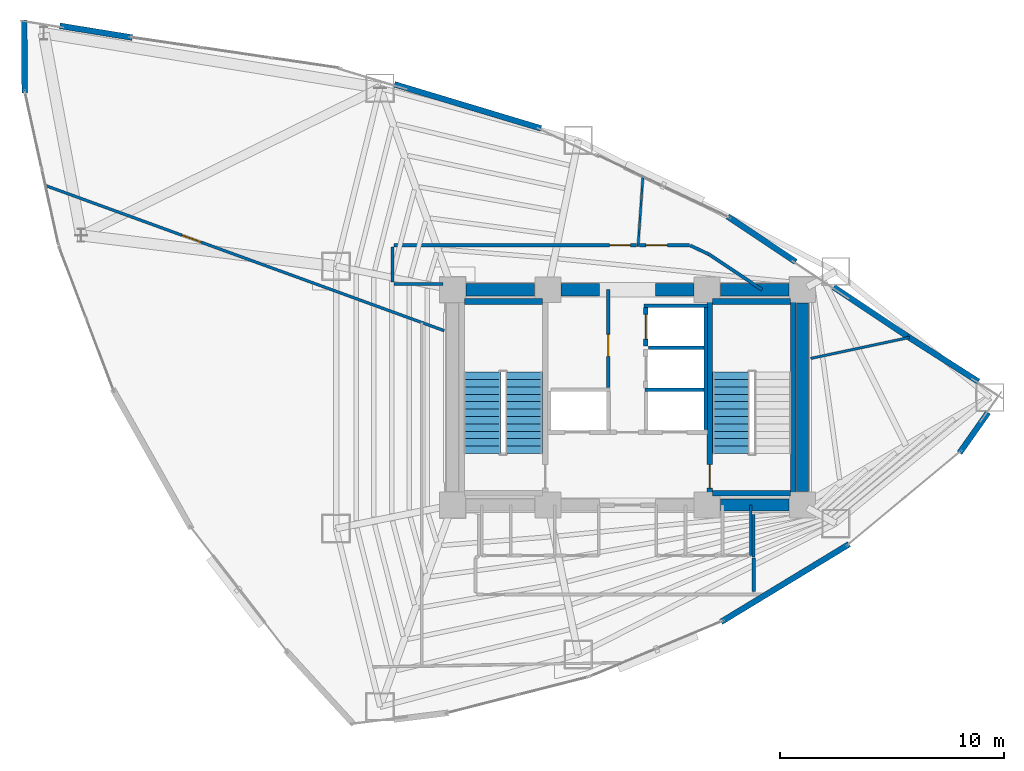
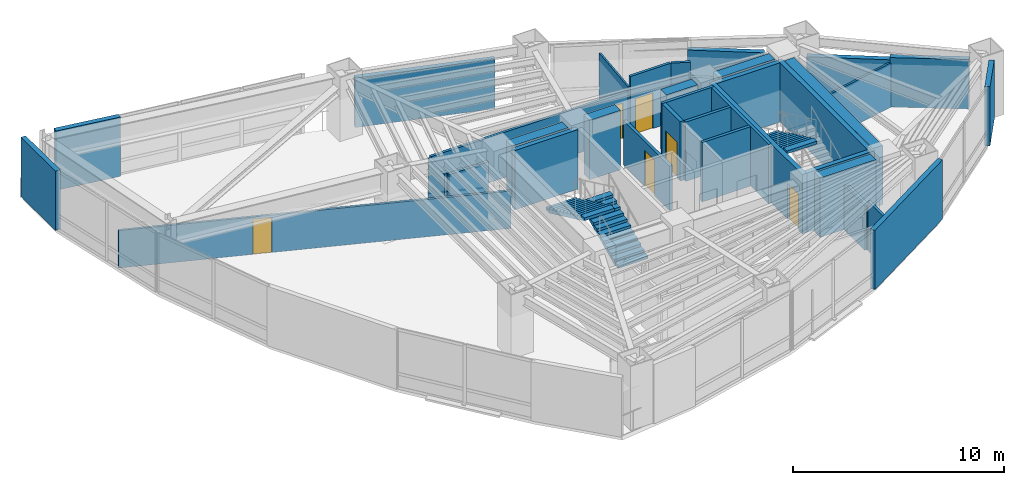
# One storey, part 20 of 25: 37 walls, 6 doors, 3 stair flights, 6 openings, 2 elements without a shape of their own.
"""IFC4 building model written with IfcOpenShell, lengths in metres."""

from ifc_helpers import new_model, si_unit, direction, frame, frame_2d, origin, place, context, subcontext, project, spatial, polyline, rectangle, outline, extrude, material, layer, layer_set, type_object, element, fill, aggregate, save


model = new_model("IFC4")

# Units and contexts
model_context = context("Model", 3, precision=1e-05, world=origin(), true_north=direction((0.0, 1.0)))
body_context = subcontext(model_context, "Body", "Model", "MODEL_VIEW")
ifc_project = project(units=[si_unit("LENGTHUNIT", "METRE"), si_unit("AREAUNIT", "SQUARE_METRE"), si_unit("VOLUMEUNIT", "CUBIC_METRE"), si_unit("PLANEANGLEUNIT", "RADIAN"), si_unit("MASSUNIT", "GRAM", prefix="KILO")], contexts=[model_context])

# Site, building, storey
site_placement = place(None, origin())
site = spatial("IfcSite", under=ifc_project, at=site_placement, CompositionType="ELEMENT")
building_placement = place(site_placement, origin())
building = spatial("IfcBuilding", under=site, at=building_placement, Name="Menara Vayukalpa", CompositionType="ELEMENT")
storey_placement = place(building_placement, frame((0.0, 0.0, 115.139892578125)))
storey = spatial("IfcBuildingStorey", under=building, at=storey_placement, Name="L28", CompositionType="ELEMENT", Elevation=115.139892578125)

# Walls
ifc_material_1 = material(Name="Concrete C60/75", Category="concrete")
ifc_layer_1 = layer(ifc_material_1, 0.550048828125)
ifc_layer_set_1 = layer_set([ifc_layer_1], Name="Concrete C60/75")
wall_type_1 = type_object("IfcWallType", Name="WAL-CW550", PredefinedType="SHEAR", material=ifc_layer_set_1)
wall_1_placement = place(storey_placement, frame((29.7451171875, 17.199951171875, 0.0), z_axis=(0.0, 0.0, 1.0), x_axis=(1.0, 0.0, 0.0)))
element("IfcWall", 1, at=wall_1_placement, inside=storey, type_object=wall_type_1, Name="L28 Buttressed Core Shear Wall CWS4", PredefinedType="SHEAR", context=body_context, shape_type="SweptSolid", body=[
    extrude(rectangle(XDim=3.059814453125, YDim=0.550048828125, at=frame_2d((1.52978515625, 0.0))), origin(), (0.0, 0.0, 1.0), 3.440185546875),
])
wall_2_placement = place(storey_placement, frame((18.39501953125, 26.800048828125, 0.0), z_axis=(0.0, 0.0, 1.0), x_axis=(1.0, 0.0, 0.0)))
element("IfcWall", 2, at=wall_2_placement, inside=storey, type_object=wall_type_1, Name="L28 Buttressed Core Shear Wall CWN1", PredefinedType="SHEAR", context=body_context, shape_type="SweptSolid", body=[
    extrude(rectangle(XDim=3.06005859375, YDim=0.550048828125, at=frame_2d((1.530029296875, 0.0))), origin(), (0.0, 0.0, 1.0), 3.440185546875),
])
wall_3_placement = place(storey_placement, frame((22.64501953125, 26.800048828125, 0.0), z_axis=(0.0, 0.0, 1.0), x_axis=(1.0, 0.0, 0.0)))
element("IfcWall", 3, at=wall_3_placement, inside=storey, type_object=wall_type_1, Name="L28 Buttressed Core Shear Wall CWN2", PredefinedType="SHEAR", context=body_context, shape_type="SweptSolid", body=[
    extrude(rectangle(XDim=1.705078125, YDim=0.550048828125, at=frame_2d((0.8525390625, 0.0))), origin(), (0.0, 0.0, 1.0), 3.440185546875),
])
wall_4_placement = place(storey_placement, frame((26.85009765625, 26.800048828125, 0.0), z_axis=(0.0, 0.0, 1.0), x_axis=(1.0, 0.0, 0.0)))
element("IfcWall", 4, at=wall_4_placement, inside=storey, type_object=wall_type_1, Name="L28 Buttressed Core Shear Wall CWN3", PredefinedType="SHEAR", context=body_context, shape_type="SweptSolid", body=[
    extrude(rectangle(XDim=1.704833984375, YDim=0.550048828125, at=frame_2d((0.8525390625, 0.0))), origin(), (0.0, 0.0, 1.0), 3.440185546875),
])
wall_5_placement = place(storey_placement, frame((29.7451171875, 26.800048828125, 0.0), z_axis=(0.0, 0.0, 1.0), x_axis=(1.0, 0.0, 0.0)))
element("IfcWall", 5, at=wall_5_placement, inside=storey, type_object=wall_type_1, Name="L28 Buttressed Core Shear Wall CWN4", PredefinedType="SHEAR", context=body_context, shape_type="SweptSolid", body=[
    extrude(rectangle(XDim=3.059814453125, YDim=0.550048828125, at=frame_2d((1.52978515625, 0.0))), origin(), (0.0, 0.0, 1.0), 3.440185546875),
])
wall_6_placement = place(storey_placement, frame((33.39990234375, 17.794921875, 0.0), z_axis=(0.0, 0.0, 1.0), x_axis=(0.0, 1.0, 0.0)))
element("IfcWall", 6, at=wall_6_placement, inside=storey, type_object=wall_type_1, Name="L28 Buttressed Core Shear Wall CWE1", PredefinedType="SHEAR", context=body_context, shape_type="SweptSolid", body=[
    extrude(rectangle(XDim=8.41015625, YDim=0.550048828125, at=frame_2d((4.205078125, 0.0))), origin(), (0.0, 0.0, 1.0), 3.440185546875),
])
ifc_material_2 = material(Name="Insulated Precast Concrete C40/50", Category="concrete")
ifc_layer_2 = layer(ifc_material_2, 0.260009765625)
ifc_layer_set_2 = layer_set([ifc_layer_2], Name="Insulated Precast Concrete C40/50")
wall_type_2 = type_object("IfcWallType", Name="WAL-EXT260", PredefinedType="PARTITIONING", material=ifc_layer_set_2)
wall_7_placement = place(storey_placement, frame((41.682373046875, 21.331298828125, 0.0), z_axis=(0.0, 0.0, 1.0), x_axis=(-0.577134204686, -0.816649318729, 0.0)))
element("IfcWall", 7, at=wall_7_placement, inside=storey, type_object=wall_type_2, Name="L28 Perimeter Terracotta Pier Wall 01", PredefinedType="PARTITIONING", context=body_context, shape_type="SweptSolid", body=[
    extrude(rectangle(XDim=2.2099609375, YDim=0.260009765625, at=frame_2d((1.10498046875, 0.0))), origin(), (0.0, 0.0, 1.0), 3.440185546875),
])
wall_8_placement = place(storey_placement, frame((38.07177734375, 24.726806640625, 0.0), z_axis=(0.0, 0.0, 1.0), x_axis=(0.843033549628, -0.537860980367, 0.0)))
element("IfcWall", 8, at=wall_8_placement, inside=storey, type_object=wall_type_2, Name="L28 Perimeter Terracotta Pier Wall 02", PredefinedType="PARTITIONING", context=body_context, shape_type="SweptSolid", body=[
    extrude(rectangle(XDim=3.765625, YDim=0.260009765625, at=frame_2d((1.8828125, 0.0))), origin(), (0.0, 0.0, 1.0), 2.8701171875),
])
wall_9_placement = place(storey_placement, frame((34.783203125, 26.92236328125, 0.0), z_axis=(0.0, 0.0, 1.0), x_axis=(0.831718676225, -0.555197301523, 0.0)))
element("IfcWall", 9, at=wall_9_placement, inside=storey, type_object=wall_type_2, Name="L28 Perimeter Terracotta Pier Wall 03", PredefinedType="PARTITIONING", context=body_context, shape_type="SweptSolid", body=[
    extrude(rectangle(XDim=3.966064453125, YDim=0.260009765625, at=frame_2d((1.98291015625, 0.0))), origin(), (0.0, 0.0, 1.0), 2.739990234375),
])
wall_10_placement = place(storey_placement, frame((30.069580078125, 30.06884765625, 0.0), z_axis=(0.0, 0.0, 1.0), x_axis=(0.831720838908, -0.555194061681, 0.0)))
element("IfcWall", 10, at=wall_10_placement, inside=storey, type_object=wall_type_2, Name="L28 Perimeter Terracotta Pier Wall 04", PredefinedType="PARTITIONING", context=body_context, shape_type="SweptSolid", body=[
    extrude(rectangle(XDim=3.64990234375, YDim=0.260009765625, at=frame_2d((1.824951171875, 0.0))), origin(), (0.0, 0.0, 1.0), 2.8701171875),
])
wall_11_placement = place(storey_placement, frame((15.205078125, 35.960693359375, 0.0), z_axis=(0.0, 0.0, 1.0), x_axis=(0.957547425539, -0.288275784351, 0.0)))
element("IfcWall", 11, at=wall_11_placement, inside=storey, type_object=wall_type_2, Name="L28 Perimeter Terracotta Pier Wall 06", PredefinedType="PARTITIONING", context=body_context, shape_type="SweptSolid", body=[
    extrude(rectangle(XDim=6.830322265625, YDim=0.260009765625, at=frame_2d((3.4150390625, 0.0))), origin(), (0.0, 0.0, 1.0), 2.8701171875),
])
wall_12_placement = place(storey_placement, frame((0.28759765625, 38.567626953125, 0.0), z_axis=(0.0, 0.0, 1.0), x_axis=(0.987086724939, -0.160186758031, 0.0)))
element("IfcWall", 12, at=wall_12_placement, inside=storey, type_object=wall_type_2, Name="L28 Perimeter Terracotta Pier Wall 08", PredefinedType="PARTITIONING", context=body_context, shape_type="SweptSolid", body=[
    extrude(rectangle(XDim=3.281494140625, YDim=0.260009765625, at=frame_2d((1.640625, 0.0))), origin(), (0.0, 0.0, 1.0), 3.440185546875),
])
wall_13_placement = place(storey_placement, frame((-1.2744140625, 35.567626953125, 0.0), z_axis=(0.0, 0.0, 1.0), x_axis=(-0.007419416555, 0.99997247575, 0.0)))
element("IfcWall", 13, at=wall_13_placement, inside=storey, type_object=wall_type_2, Name="L28 Perimeter Terracotta Pier Wall 09", PredefinedType="PARTITIONING", context=body_context, shape_type="SweptSolid", body=[
    extrude(rectangle(XDim=3.257568359375, YDim=0.260009765625, at=frame_2d((1.62890625, 0.0))), origin(), (0.0, 0.0, 1.0), 3.440185546875),
])
wall_14_placement = place(storey_placement, frame((35.47998046875, 15.455078125, 0.0), z_axis=(0.0, 0.0, 1.0), x_axis=(-0.854673977685, -0.51916509115, 0.0)))
element("IfcWall", 14, at=wall_14_placement, inside=storey, type_object=wall_type_2, Name="L28 Perimeter Terracotta Pier Wall 18", PredefinedType="PARTITIONING", context=body_context, shape_type="SweptSolid", body=[
    extrude(rectangle(XDim=6.678466796875, YDim=0.260009765625, at=frame_2d((3.33935546875, 0.0))), origin(), (0.0, 0.0, 1.0), 3.440185546875),
])
ifc_material_3 = material(Name="Lightweight Concrete Blockwork C16/20", Category="masonry")
ifc_layer_3 = layer(ifc_material_3, 0.159912109375)
ifc_layer_set_3 = layer_set([ifc_layer_3], Name="Lightweight Concrete Blockwork C16/20")
wall_type_3 = type_object("IfcWallType", Name="WAL-FR150", PredefinedType="PARTITIONING", material=ifc_layer_set_3)
wall_15_placement = place(storey_placement, frame((29.094970703125, 20.56005859375, 0.0), z_axis=(0.0, 0.0, 1.0), x_axis=(0.0, 1.0, 0.0)))
element("IfcWall", 15, at=wall_15_placement, inside=storey, type_object=wall_type_3, Name="L28 Interior Partition IW-L28-SHW-EE", PredefinedType="PARTITIONING", context=body_context, shape_type="SweptSolid", body=[
    extrude(rectangle(XDim=5.449951171875, YDim=0.159912109375, at=frame_2d((2.72509765625, 0.0))), origin(), (0.0, 0.0, 1.0), 3.440185546875),
])
wall_16_placement = place(storey_placement, frame((26.3701171875, 22.344970703125, 0.0), z_axis=(0.0, 0.0, 1.0), x_axis=(1.0, 0.0, 0.0)))
element("IfcWall", 16, at=wall_16_placement, inside=storey, type_object=wall_type_3, Name="L28 Interior Partition IW-L28-SHM-E13", PredefinedType="PARTITIONING", context=body_context, shape_type="SweptSolid", body=[
    extrude(rectangle(XDim=2.64990234375, YDim=0.159912109375, at=frame_2d((1.324951171875, 0.0))), origin(), (0.0, 0.0, 1.0), 3.440185546875),
])
wall_17_placement = place(storey_placement, frame((26.530029296875, 24.215087890625, 0.0), z_axis=(0.0, 0.0, 1.0), x_axis=(1.0, 0.0, 0.0)))
element("IfcWall", 17, at=wall_17_placement, inside=storey, type_object=wall_type_3, Name="L28 Interior Partition IW-L28-SHM-E32", PredefinedType="PARTITIONING", context=body_context, shape_type="SweptSolid", body=[
    extrude(rectangle(XDim=2.489990234375, YDim=0.159912109375, at=frame_2d((1.2451171875, 0.0))), origin(), (0.0, 0.0, 1.0), 3.440185546875),
])
wall_18_placement = place(storey_placement, frame((26.340087890625, 26.0849609375, 0.0), z_axis=(0.0, 0.0, 1.0), x_axis=(1.0, 0.0, 0.0)))
element("IfcWall", 18, at=wall_18_placement, inside=storey, type_object=wall_type_3, Name="L28 Interior Partition IW-L28-SHM-E2N", PredefinedType="PARTITIONING", context=body_context, shape_type="SweptSolid", body=[
    extrude(rectangle(XDim=2.829833984375, YDim=0.159912109375, at=frame_2d((1.4150390625, 0.0))), origin(), (0.0, 0.0, 1.0), 3.440185546875),
])

# Wall, opening, door
wall_19_placement = place(storey_placement, frame((24.739990234375, 22.429931640625, 0.0), z_axis=(0.0, 0.0, 1.0), x_axis=(0.0, 1.0, 0.0)))
wall_19 = element("IfcWall", 19, at=wall_19_placement, inside=storey, type_object=wall_type_3, Name="L28 Interior Partition IW-L28-LV7W", PredefinedType="PARTITIONING", context=body_context, shape_type="SweptSolid", body=[
    extrude(rectangle(XDim=4.3701171875, YDim=0.159912109375, at=frame_2d((2.18505859375, 0.0))), origin(), (0.0, 0.0, 1.0), 2.570068359375),
])
opening_1_placement = place(wall_19_placement, frame((1.39990234375, 0.0, 0.0)))
opening_1 = element("IfcOpeningElement", 20, at=opening_1_placement, cuts=wall_19, Name="Opening ID3", PredefinedType="OPENING", context=body_context, shape_type="SweptSolid", body=[
    extrude(rectangle(XDim=0.97998046875, YDim=2.06005859375, at=frame_2d((0.489990234375, 1.030029296875))), frame((0.0, 0.08984375, 0.0), z_axis=(0.0, -1.0, 0.0), x_axis=(1.0, 0.0, 0.0)), (0.0, 0.0, 1.0), 0.179931640625),
])
ifc_material_4 = material(Name="Fire-Rated Powder-Coated Steel Door", Category="steel")
door_type_1 = type_object("IfcDoorType", Name="DR-FD60", OperationType="NOTDEFINED", PredefinedType="DOOR", material=ifc_material_4)
door_1_placement = place(opening_1_placement, origin())
door_1 = element("IfcDoor", 21, at=door_1_placement, inside=storey, type_object=door_type_1, Name="L28 Interior Door DR-L28-LV7W", OperationType="SINGLE_SWING_LEFT", OverallHeight=2.06005859375, OverallWidth=0.97998046875, PredefinedType="DOOR", context=body_context, shape_type="SweptSolid", body=[
    extrude(rectangle(XDim=0.97998046875, YDim=2.06005859375, at=frame_2d((0.489990234375, 1.030029296875))), frame((0.0, 0.02490234375, 0.0), z_axis=(0.0, -1.0, 0.0), x_axis=(1.0, 0.0, 0.0)), (0.0, 0.0, 1.0), 0.050048828125),
])
fill(opening_1, door_1)

ifc_material_5 = material(Name="Lightweight Concrete Blockwork C16/20", Category="masonry")
ifc_layer_4 = layer(ifc_material_5, 0.199951171875)
ifc_layer_set_4 = layer_set([ifc_layer_4], Name="Lightweight Concrete Blockwork C16/20")
wall_type_4 = type_object("IfcWallType", Name="WAL-FR200", PredefinedType="PARTITIONING", material=ifc_layer_set_4)
wall_20_placement = place(storey_placement, frame((26.419921875, 24.2900390625, 0.0), z_axis=(0.0, 0.0, 1.0), x_axis=(0.0, 1.0, 0.0)))
wall_20 = element("IfcWall", 22, at=wall_20_placement, inside=storey, type_object=wall_type_4, Name="L28 Interior Partition IW-L28-SH-E2", PredefinedType="PARTITIONING", context=body_context, shape_type="SweptSolid", body=[
    extrude(rectangle(XDim=1.719970703125, YDim=0.199951171875, at=frame_2d((0.85986328125, 0.0))), origin(), (0.0, 0.0, 1.0), 3.440185546875),
])
opening_2_placement = place(wall_20_placement, frame((0.31005859375, 0.0, 0.0)))
opening_2 = element("IfcOpeningElement", 23, at=opening_2_placement, cuts=wall_20, Name="Opening LD1", PredefinedType="OPENING", context=body_context, shape_type="SweptSolid", body=[
    extrude(rectangle(XDim=1.10009765625, YDim=2.080078125, at=frame_2d((0.550048828125, 1.0400390625))), frame((0.0, 0.10986328125, 0.0), z_axis=(0.0, -1.0, 0.0), x_axis=(1.0, 0.0, 0.0)), (0.0, 0.0, 1.0), 0.219970703125),
])
ifc_material_6 = material(Name="Brushed Stainless Steel 316 Lift Door", Category="steel")
door_type_2 = type_object("IfcDoorType", Name="DR-LD110", OperationType="NOTDEFINED", PredefinedType="DOOR", material=ifc_material_6)
door_2_placement = place(opening_2_placement, origin())
door_2 = element("IfcDoor", 24, at=door_2_placement, inside=storey, type_object=door_type_2, Name="L28 Interior Door DR-L28-LD-E2", OperationType="DOUBLE_DOOR_SLIDING", OverallHeight=2.080078125, OverallWidth=1.10009765625, PredefinedType="DOOR", context=body_context, shape_type="SweptSolid", body=[
    extrude(rectangle(XDim=1.10009765625, YDim=2.080078125, at=frame_2d((0.550048828125, 1.0400390625))), frame((0.0, 0.02490234375, 0.0), z_axis=(0.0, -1.0, 0.0), x_axis=(1.0, 0.0, 0.0)), (0.0, 0.0, 1.0), 0.050048828125),
])
fill(opening_2, door_2)

# Walls
ifc_material_7 = material(Name="Glazed Demountable Office Partition", Category="glass")
ifc_layer_5 = layer(ifc_material_7, 0.094970703125)
ifc_layer_set_5 = layer_set([ifc_layer_5], Name="Glazed Demountable Office Partition")
wall_type_5 = type_object("IfcWallType", Name="WAL-PT100", PredefinedType="PARTITIONING", material=ifc_layer_set_5)
wall_21_placement = place(storey_placement, frame((26.070556640625, 28.72998046875, 0.0), z_axis=(0.0, 0.0, 1.0), x_axis=(0.069744506841, 0.997564886995, 0.0)))
element("IfcWall", 25, at=wall_21_placement, inside=storey, type_object=wall_type_5, Name="L28 Interior Partition IW-L28-RDIV02", PredefinedType="PARTITIONING", context=body_context, shape_type="SweptSolid", body=[
    extrude(rectangle(XDim=3.12939453125, YDim=0.094970703125, at=frame_2d((1.564697265625, 0.0))), origin(), (0.0, 0.0, 1.0), 2.8701171875),
])
ifc_material_8 = material(Name="Acoustic Mineral Stud Partition", Category="masonry")
ifc_layer_6 = layer(ifc_material_8, 0.110107421875)
ifc_layer_set_6 = layer_set([ifc_layer_6], Name="Acoustic Mineral Stud Partition")
wall_type_6 = type_object("IfcWallType", Name="WAL-PT110", PredefinedType="PARTITIONING", material=ifc_layer_set_6)
wall_22_placement = place(storey_placement, frame((31.10009765625, 14.949951171875, 0.0), z_axis=(0.0, 0.0, 1.0), x_axis=(0.0, 1.0, 0.0)))
element("IfcWall", 26, at=wall_22_placement, inside=storey, type_object=wall_type_6, Name="L28 Interior Partition IW-L28-SVCD-08", PredefinedType="PARTITIONING", context=body_context, shape_type="SweptSolid", body=[
    extrude(rectangle(XDim=2.25, YDim=0.110107421875, at=frame_2d((1.125, 0.0))), origin(), (0.0, 0.0, 1.0), 2.570068359375),
])
wall_23_placement = place(storey_placement, frame((33.77001953125, 23.736572265625, 0.0), z_axis=(0.0, 0.0, 1.0), x_axis=(0.978149343119, 0.207903493369, 0.0)))
element("IfcWall", 27, at=wall_23_placement, inside=storey, type_object=wall_type_6, Name="L28 Interior Partition IW-L28-RDIV01", PredefinedType="PARTITIONING", context=body_context, shape_type="SweptSolid", body=[
    extrude(rectangle(XDim=4.50341796875, YDim=0.110107421875, at=frame_2d((2.251708984375, 0.0))), origin(), (0.0, 0.0, 1.0), 2.570068359375),
])

# Wall, opening, door
ifc_material_9 = material(Name="Gypsum Drywall Steel Stud Assembly", Category="steel")
ifc_layer_7 = layer(ifc_material_9, 0.125)
ifc_layer_set_7 = layer_set([ifc_layer_7], Name="Gypsum Drywall Steel Stud Assembly")
wall_type_7 = type_object("IfcWallType", Name="WAL-PT125", PredefinedType="PARTITIONING", material=ifc_layer_set_7)
wall_24_placement = place(storey_placement, frame((17.429931640625, 24.9736328125, 0.0), z_axis=(0.0, 0.0, 1.0), x_axis=(-0.93969321491, 0.34201851098, 0.0)))
wall_24 = element("IfcWall", 28, at=wall_24_placement, inside=storey, type_object=wall_type_7, Name="L28 Interior Partition IW-L28-RDIV03", PredefinedType="PARTITIONING", context=body_context, shape_type="SweptSolid", body=[
    extrude(rectangle(XDim=18.92919921875, YDim=0.125, at=frame_2d((9.464599609375, 0.0))), origin(), (0.0, 0.0, 1.0), 2.170166015625),
])
opening_3_placement = place(wall_24_placement, frame((11.527587890625, 0.0, 0.0)))
opening_3 = element("IfcOpeningElement", 29, at=opening_3_placement, cuts=wall_24, Name="Opening ID6", PredefinedType="OPENING", context=body_context, shape_type="SweptSolid", body=[
    extrude(rectangle(XDim=0.919921875, YDim=2.050048828125, at=frame_2d((0.4599609375, 1.02490234375))), frame((0.0, 0.072509765625, 0.0), z_axis=(0.0, -1.0, 0.0), x_axis=(1.0, 0.0, 0.0)), (0.0, 0.0, 1.0), 0.14501953125),
])
ifc_material_10 = material(Name="Acoustic Hardwood Veneer Timber Door", Category="wood")
door_type_3 = type_object("IfcDoorType", Name="DR-INT92", OperationType="NOTDEFINED", PredefinedType="DOOR", material=ifc_material_10)
door_3_placement = place(opening_3_placement, origin())
door_3 = element("IfcDoor", 30, at=door_3_placement, inside=storey, type_object=door_type_3, Name="L28 Interior Door DR-L28-STE01", OperationType="SINGLE_SWING_LEFT", OverallHeight=2.050048828125, OverallWidth=0.919921875, PredefinedType="DOOR", context=body_context, shape_type="SweptSolid", body=[
    extrude(rectangle(XDim=0.919921875, YDim=2.050048828125, at=frame_2d((0.4599609375, 1.02490234375))), frame((0.0, 0.02490234375, 0.0), z_axis=(0.0, -1.0, 0.0), x_axis=(1.0, 0.0, 0.0)), (0.0, 0.0, 1.0), 0.050048828125),
])
fill(opening_3, door_3)

# Walls
ifc_material_11 = material(Name="Gypsum Drywall Acoustic Stud Assembly", Category="masonry")
ifc_layer_8 = layer(ifc_material_11, 0.14501953125)
ifc_layer_set_8 = layer_set([ifc_layer_8], Name="Gypsum Drywall Acoustic Stud Assembly")
wall_type_8 = type_object("IfcWallType", Name="WAL-PT150", PredefinedType="PARTITIONING", material=ifc_layer_set_8)
wall_25_placement = place(storey_placement, frame((31.22998046875, 13.351318359375, 0.0), z_axis=(0.0, 0.0, 1.0), x_axis=(0.0, 1.0, 0.0)))
element("IfcWall", 31, at=wall_25_placement, inside=storey, type_object=wall_type_8, Name="L28 Interior Partition IW-L28-CRM02-4", PredefinedType="PARTITIONING", context=body_context, shape_type="SweptSolid", body=[
    extrude(rectangle(XDim=1.498779296875, YDim=0.14501953125, at=frame_2d((0.74951171875, 0.0))), origin(), (0.0, 0.0, 1.0), 2.8701171875),
])
wall_26_placement = place(storey_placement, frame((31.219970703125, 14.888671875, 0.0), z_axis=(0.0, 0.0, 1.0), x_axis=(0.0, 1.0, 0.0)))
element("IfcWall", 32, at=wall_26_placement, inside=storey, type_object=wall_type_8, Name="L28 Interior Partition IW-L28-CRM02-5", PredefinedType="PARTITIONING", context=body_context, shape_type="SweptSolid", body=[
    extrude(rectangle(XDim=1.891357421875, YDim=0.14501953125, at=frame_2d((0.94580078125, 0.0))), origin(), (0.0, 0.0, 1.0), 2.570068359375),
])
wall_27_placement = place(storey_placement, frame((31.598388671875, 26.800048828125, 0.0), z_axis=(0.0, 0.0, 1.0), x_axis=(-0.831758510993, 0.555137622028, 0.0)))
element("IfcWall", 33, at=wall_27_placement, inside=storey, type_object=wall_type_8, Name="L28 Interior Partition IW-L28-CRM03-1", PredefinedType="PARTITIONING", context=body_context, shape_type="SweptSolid", body=[
    extrude(rectangle(XDim=2.8330078125, YDim=0.14501953125, at=frame_2d((1.41650390625, 0.0))), origin(), (0.0, 0.0, 1.0), 2.570068359375),
])
wall_28_placement = place(storey_placement, frame((29.231689453125, 28.378662109375, 0.0), z_axis=(0.0, 0.0, 1.0), x_axis=(-0.903829701814, 0.427892358098, 0.0)))
element("IfcWall", 34, at=wall_28_placement, inside=storey, type_object=wall_type_8, Name="L28 Interior Partition IW-L28-CRM03-2", PredefinedType="PARTITIONING", context=body_context, shape_type="SweptSolid", body=[
    extrude(rectangle(XDim=0.919677734375, YDim=0.14501953125, at=frame_2d((0.4599609375, 0.0))), origin(), (0.0, 0.0, 1.0), 3.440185546875),
])

# Wall, opening, door
wall_29_placement = place(storey_placement, frame((28.3662109375, 28.780029296875, 0.0), z_axis=(0.0, 0.0, 1.0), x_axis=(-1.0, 0.0, 0.0)))
wall_29 = element("IfcWall", 35, at=wall_29_placement, inside=storey, type_object=wall_type_8, Name="L28 Interior Partition IW-L28-CRM03-3", PredefinedType="PARTITIONING", context=body_context, shape_type="SweptSolid", body=[
    extrude(rectangle(XDim=2.221923828125, YDim=0.14501953125, at=frame_2d((1.11083984375, 0.0))), origin(), (0.0, 0.0, 1.0), 3.440185546875),
])
opening_4_placement = place(wall_29_placement, frame((0.991943359375, 0.0, 0.0)))
opening_4 = element("IfcOpeningElement", 36, at=opening_4_placement, cuts=wall_29, Name="Opening ID5", PredefinedType="OPENING", context=body_context, shape_type="SweptSolid", body=[
    extrude(rectangle(XDim=0.949951171875, YDim=2.06005859375, at=frame_2d((0.47509765625, 1.030029296875))), frame((0.0, 0.08251953125, 0.0), z_axis=(0.0, -1.0, 0.0), x_axis=(1.0, 0.0, 0.0)), (0.0, 0.0, 1.0), 0.1650390625),
])
ifc_material_12 = material(Name="Acoustic Hardwood Veneer Timber Door", Category="wood")
door_type_4 = type_object("IfcDoorType", Name="DR-INT95", OperationType="NOTDEFINED", PredefinedType="DOOR", material=ifc_material_12)
door_4_placement = place(opening_4_placement, origin())
door_4 = element("IfcDoor", 37, at=door_4_placement, inside=storey, type_object=door_type_4, Name="L28 Interior Door DR-L28-RM03", OperationType="SINGLE_SWING_LEFT", OverallHeight=2.06005859375, OverallWidth=0.949951171875, PredefinedType="DOOR", context=body_context, shape_type="SweptSolid", body=[
    extrude(rectangle(XDim=0.949951171875, YDim=2.06005859375, at=frame_2d((0.47509765625, 1.030029296875))), frame((0.0, 0.02490234375, 0.0), z_axis=(0.0, -1.0, 0.0), x_axis=(1.0, 0.0, 0.0)), (0.0, 0.0, 1.0), 0.050048828125),
])
fill(opening_4, door_4)

wall_30_placement = place(storey_placement, frame((26.00390625, 28.780029296875, 0.0), z_axis=(0.0, 0.0, 1.0), x_axis=(-1.0, 0.0, 0.0)))
wall_30 = element("IfcWall", 38, at=wall_30_placement, inside=storey, type_object=wall_type_8, Name="L28 Interior Partition IW-L28-CRM04-1", PredefinedType="PARTITIONING", context=body_context, shape_type="SweptSolid", body=[
    extrude(rectangle(XDim=10.803955078125, YDim=0.14501953125, at=frame_2d((5.40185546875, 0.0))), origin(), (0.0, 0.0, 1.0), 2.6201171875),
])
opening_5_placement = place(wall_30_placement, frame((0.280029296875, 0.0, 0.0)))
opening_5 = element("IfcOpeningElement", 39, at=opening_5_placement, cuts=wall_30, Name="Opening ID6", PredefinedType="OPENING", context=body_context, shape_type="SweptSolid", body=[
    extrude(rectangle(XDim=0.919921875, YDim=2.050048828125, at=frame_2d((0.4599609375, 1.02490234375))), frame((0.0, 0.08251953125, 0.0), z_axis=(0.0, -1.0, 0.0), x_axis=(1.0, 0.0, 0.0)), (0.0, 0.0, 1.0), 0.1650390625),
])
door_5_placement = place(opening_5_placement, origin())
door_5 = element("IfcDoor", 40, at=door_5_placement, inside=storey, type_object=door_type_3, Name="L28 Interior Door DR-L28-RM04", OperationType="SINGLE_SWING_RIGHT", OverallHeight=2.050048828125, OverallWidth=0.919921875, PredefinedType="DOOR", context=body_context, shape_type="SweptSolid", body=[
    extrude(rectangle(XDim=0.919921875, YDim=2.050048828125, at=frame_2d((0.4599609375, 1.02490234375))), frame((0.0, 0.02490234375, 0.0), z_axis=(0.0, -1.0, 0.0), x_axis=(1.0, 0.0, 0.0)), (0.0, 0.0, 1.0), 0.050048828125),
])
fill(opening_5, door_5)

# Walls
wall_31_placement = place(storey_placement, frame((15.1201171875, 28.699951171875, 0.0), z_axis=(0.0, 0.0, 1.0), x_axis=(0.0, -1.0, 0.0)))
element("IfcWall", 41, at=wall_31_placement, inside=storey, type_object=wall_type_8, Name="L28 Interior Partition IW-L28-CRM04-2", PredefinedType="PARTITIONING", context=body_context, shape_type="SweptSolid", body=[
    extrude(rectangle(XDim=1.56005859375, YDim=0.14501953125, at=frame_2d((0.780029296875, 0.0))), origin(), (0.0, 0.0, 1.0), 2.6201171875),
])
wall_32_placement = place(storey_placement, frame((15.199951171875, 27.06005859375, 0.0), z_axis=(0.0, 0.0, 1.0), x_axis=(1.0, 0.0, 0.0)))
element("IfcWall", 42, at=wall_32_placement, inside=storey, type_object=wall_type_8, Name="L28 Interior Partition IW-L28-CRM04-3", PredefinedType="PARTITIONING", context=body_context, shape_type="SweptSolid", body=[
    extrude(rectangle(XDim=2.179931640625, YDim=0.14501953125, at=frame_2d((1.08984375, 0.0))), origin(), (0.0, 0.0, 1.0), 2.6201171875),
])
ifc_material_13 = material(Name="Concrete C50/60", Category="concrete")
ifc_layer_9 = layer(ifc_material_13, 0.25)
ifc_layer_set_9 = layer_set([ifc_layer_9], Name="Concrete C50/60")
wall_type_9 = type_object("IfcWallType", Name="WAL-SW250", PredefinedType="SHEAR", material=ifc_layer_set_9)
wall_33_placement = place(storey_placement, frame((18.3291015625, 26.27490234375, 0.0), z_axis=(0.0, 0.0, 1.0), x_axis=(1.0, 0.0, 0.0)))
element("IfcWall", 43, at=wall_33_placement, inside=storey, type_object=wall_type_9, Name="L28 ST1 Structural Stair Shaft Wall N", PredefinedType="SHEAR", context=body_context, shape_type="SweptSolid", body=[
    extrude(rectangle(XDim=3.470947265625, YDim=0.25, at=frame_2d((1.7353515625, 0.0))), origin(), (0.0, 0.0, 1.0), 3.440185546875),
])

# Wall, opening, door
wall_34_placement = place(storey_placement, frame((29.27490234375, 17.60009765625, 0.0), z_axis=(0.0, 0.0, 1.0), x_axis=(0.0, 1.0, 0.0)))
wall_34 = element("IfcWall", 44, at=wall_34_placement, inside=storey, type_object=wall_type_9, Name="L28 ST2 Structural Stair Shaft Wall W", PredefinedType="SHEAR", context=body_context, shape_type="SweptSolid", body=[
    extrude(rectangle(XDim=8.7998046875, YDim=0.25, at=frame_2d((4.39990234375, 0.0))), origin(), (0.0, 0.0, 1.0), 3.440185546875),
])
opening_6_placement = place(wall_34_placement, frame((0.35009765625, 0.0, 0.0)))
opening_6 = element("IfcOpeningElement", 45, at=opening_6_placement, cuts=wall_34, Name="Opening ID1", PredefinedType="OPENING", context=body_context, shape_type="SweptSolid", body=[
    extrude(rectangle(XDim=1.050048828125, YDim=2.080078125, at=frame_2d((0.52490234375, 1.0400390625))), frame((0.0, 0.135009765625, 0.0), z_axis=(0.0, -1.0, 0.0), x_axis=(1.0, 0.0, 0.0)), (0.0, 0.0, 1.0), 0.27001953125),
])
ifc_material_14 = material(Name="Fire-Rated Powder-Coated Steel Door", Category="steel")
door_type_5 = type_object("IfcDoorType", Name="DR-FD120", OperationType="NOTDEFINED", PredefinedType="DOOR", material=ifc_material_14)
door_6_placement = place(opening_6_placement, origin())
door_6 = element("IfcDoor", 46, at=door_6_placement, inside=storey, type_object=door_type_5, Name="L28 Stair Exit Door DR-L28-ST2", OperationType="SINGLE_SWING_RIGHT", OverallHeight=2.080078125, OverallWidth=1.050048828125, PredefinedType="DOOR", context=body_context, shape_type="SweptSolid", body=[
    extrude(rectangle(XDim=1.050048828125, YDim=2.080078125, at=frame_2d((0.52490234375, 1.0400390625))), frame((0.0, 0.02490234375, 0.0), z_axis=(0.0, -1.0, 0.0), x_axis=(1.0, 0.0, 0.0)), (0.0, 0.0, 1.0), 0.050048828125),
])
fill(opening_6, door_6)

# Walls
wall_35_placement = place(storey_placement, frame((32.99609375, 17.60009765625, 0.0), z_axis=(0.0, 0.0, 1.0), x_axis=(0.0, 1.0, 0.0)))
element("IfcWall", 47, at=wall_35_placement, inside=storey, type_object=wall_type_9, Name="L28 ST2 Structural Stair Shaft Wall E", PredefinedType="SHEAR", context=body_context, shape_type="SweptSolid", body=[
    extrude(rectangle(XDim=8.7998046875, YDim=0.25, at=frame_2d((4.39990234375, 0.0))), origin(), (0.0, 0.0, 1.0), 3.440185546875),
])
for number, where, z_axis, x_axis, name in (
    (48, (29.39990234375, 17.72509765625, 0.0), (0.0, 0.0, 1.0), (1.0, 0.0, 0.0), "L28 ST2 Structural Stair Shaft Wall S"),
    (49, (29.39990234375, 26.27490234375, 0.0), (0.0, 0.0, 1.0), (1.0, 0.0, 0.0), "L28 ST2 Structural Stair Shaft Wall N"),
):
    element("IfcWall", number, at=place(storey_placement, frame(where, z_axis=z_axis, x_axis=x_axis)), inside=storey, type_object=wall_type_9, Name=name, PredefinedType="SHEAR", context=body_context, shape_type="SweptSolid", body=[
        extrude(rectangle(XDim=3.47119140625, YDim=0.25, at=frame_2d((1.735595703125, 0.0))), origin(), (0.0, 0.0, 1.0), 3.440185546875),
    ])

# Stair, stair flights
ifc_material_15 = material(Name="Precast Concrete C40/50", Category="concrete")
stair_type = type_object("IfcStairType", Name="STR-T04", PredefinedType="DOUBLE_RETURN_STAIR", material=ifc_material_15)
stair_1_placement = place(storey_placement, origin())
stair_1 = element("IfcStair", 50, at=stair_1_placement, inside=storey, type_object=stair_type, Name="L28 Core Exit Stair ST-1", PredefinedType="DOUBLE_RETURN_STAIR")
ifc_material_16 = material(Name="Precast Concrete C40/50", Category="concrete")
stair_flight_type = type_object("IfcStairFlightType", Name="STF-T04", PredefinedType="STRAIGHT", material=ifc_material_16)
stair_flight_1_placement = place(storey_placement, frame((20.97509765625, 19.5, 0.0), z_axis=(0.0, 0.0, 1.0), x_axis=(0.0, 1.0, 0.0)))
stair_flight_1 = element("IfcStairFlight", 51, at=stair_flight_1_placement, type_object=stair_flight_type, Name="ST-1 flight 1", NumberOfRisers=12, NumberOfTreads=11, PredefinedType="STRAIGHT", RiserHeight=0.155, TreadLength=0.33, context=body_context, shape_type="SweptSolid", body=[
    extrude(outline(polyline([(0.0, 0.0), (0.0, 0.155029296875), (0.330078125, 0.155029296875), (0.330078125, 0.31005859375), (0.659912109375, 0.31005859375), (0.659912109375, 0.465087890625), (0.989990234375, 0.465087890625), (0.989990234375, 0.6201171875), (1.320068359375, 0.6201171875), (1.320068359375, 0.77490234375), (1.64990234375, 0.77490234375), (1.64990234375, 0.929931640625), (1.97998046875, 0.929931640625), (1.97998046875, 1.0849609375), (2.31005859375, 1.0849609375), (2.31005859375, 1.239990234375), (2.639892578125, 1.239990234375), (2.639892578125, 1.39501953125), (2.969970703125, 1.39501953125), (2.969970703125, 1.550048828125), (3.300048828125, 1.550048828125), (3.300048828125, 1.705078125), (3.6298828125, 1.705078125), (3.6298828125, 1.860107421875), (3.6298828125, 1.539306640625), (0.3525390625, 0.0), (0.0, 0.0)])), frame((0.0, 0.824951171875, 0.0), z_axis=(0.0, -1.0, 0.0), x_axis=(1.0, 0.0, 0.0)), (0.0, 0.0, 1.0), 1.64990234375),
])
stair_flight_2_placement = place(storey_placement, frame((19.125, 23.1298828125, 1.860107421875), z_axis=(0.0, 0.0, 1.0), x_axis=(0.0, -1.0, 0.0)))
stair_flight_2 = element("IfcStairFlight", 52, at=stair_flight_2_placement, type_object=stair_flight_type, Name="ST-1 flight 2", NumberOfRisers=12, NumberOfTreads=11, PredefinedType="STRAIGHT", RiserHeight=0.155, TreadLength=0.33, context=body_context, shape_type="SweptSolid", body=[
    extrude(outline(polyline([(0.0, 0.0), (0.0, 0.155029296875), (0.330078125, 0.155029296875), (0.330078125, 0.31005859375), (0.659912109375, 0.31005859375), (0.659912109375, 0.465087890625), (0.989990234375, 0.465087890625), (0.989990234375, 0.6201171875), (1.320068359375, 0.6201171875), (1.320068359375, 0.77490234375), (1.64990234375, 0.77490234375), (1.64990234375, 0.929931640625), (1.97998046875, 0.929931640625), (1.97998046875, 1.0849609375), (2.31005859375, 1.0849609375), (2.31005859375, 1.239990234375), (2.639892578125, 1.239990234375), (2.639892578125, 1.39501953125), (2.969970703125, 1.39501953125), (2.969970703125, 1.550048828125), (3.300048828125, 1.550048828125), (3.300048828125, 1.705078125), (3.6298828125, 1.705078125), (3.6298828125, 1.860107421875), (3.6298828125, 1.539306640625), (0.3525390625, 0.0), (0.0, 0.0)])), frame((0.0, 0.824951171875, 0.0), z_axis=(0.0, -1.0, 0.0), x_axis=(1.0, 0.0, 0.0)), (0.0, 0.0, 1.0), 1.64990234375),
])
aggregate(stair_1, [stair_flight_1, stair_flight_2])

# Stair, stair flight
stair_2_placement = place(storey_placement, origin())
stair_2 = element("IfcStair", 53, at=stair_2_placement, inside=storey, type_object=stair_type, Name="L28 Core Exit Stair ST-2", PredefinedType="DOUBLE_RETURN_STAIR")
stair_flight_3_placement = place(storey_placement, frame((30.22509765625, 23.1298828125, 1.860107421875), z_axis=(0.0, 0.0, 1.0), x_axis=(0.0, -1.0, 0.0)))
stair_flight_3 = element("IfcStairFlight", 54, at=stair_flight_3_placement, type_object=stair_flight_type, Name="ST-2 flight 2", NumberOfRisers=12, NumberOfTreads=11, PredefinedType="STRAIGHT", RiserHeight=0.155, TreadLength=0.33, context=body_context, shape_type="SweptSolid", body=[
    extrude(outline(polyline([(0.0, 0.0), (0.0, 0.155029296875), (0.330078125, 0.155029296875), (0.330078125, 0.31005859375), (0.659912109375, 0.31005859375), (0.659912109375, 0.465087890625), (0.989990234375, 0.465087890625), (0.989990234375, 0.6201171875), (1.320068359375, 0.6201171875), (1.320068359375, 0.77490234375), (1.64990234375, 0.77490234375), (1.64990234375, 0.929931640625), (1.97998046875, 0.929931640625), (1.97998046875, 1.0849609375), (2.31005859375, 1.0849609375), (2.31005859375, 1.239990234375), (2.639892578125, 1.239990234375), (2.639892578125, 1.39501953125), (2.969970703125, 1.39501953125), (2.969970703125, 1.550048828125), (3.300048828125, 1.550048828125), (3.300048828125, 1.705078125), (3.6298828125, 1.705078125), (3.6298828125, 1.860107421875), (3.6298828125, 1.539306640625), (0.3525390625, 0.0), (0.0, 0.0)])), frame((0.0, 0.824951171875, 0.0), z_axis=(0.0, -1.0, 0.0), x_axis=(1.0, 0.0, 0.0)), (0.0, 0.0, 1.0), 1.64990234375),
])
aggregate(stair_2, [stair_flight_3])

save(model, "model.ifc")
